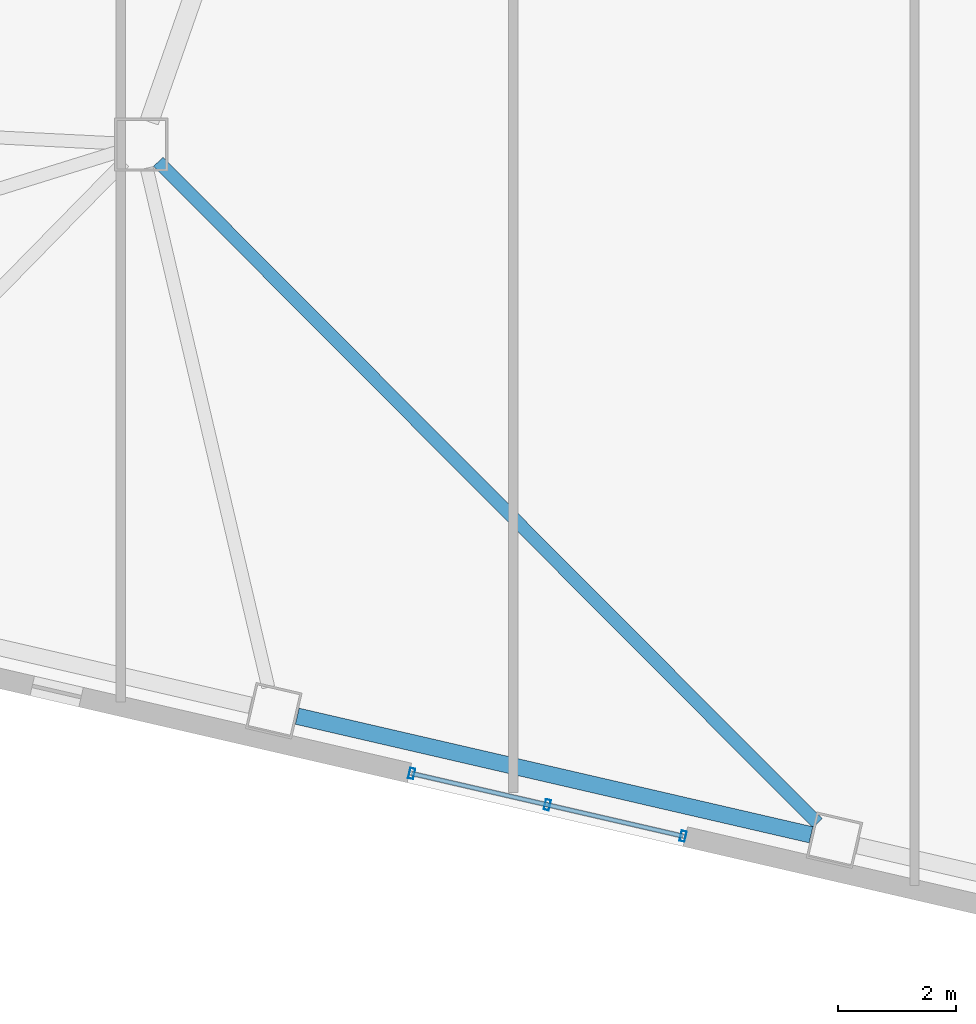
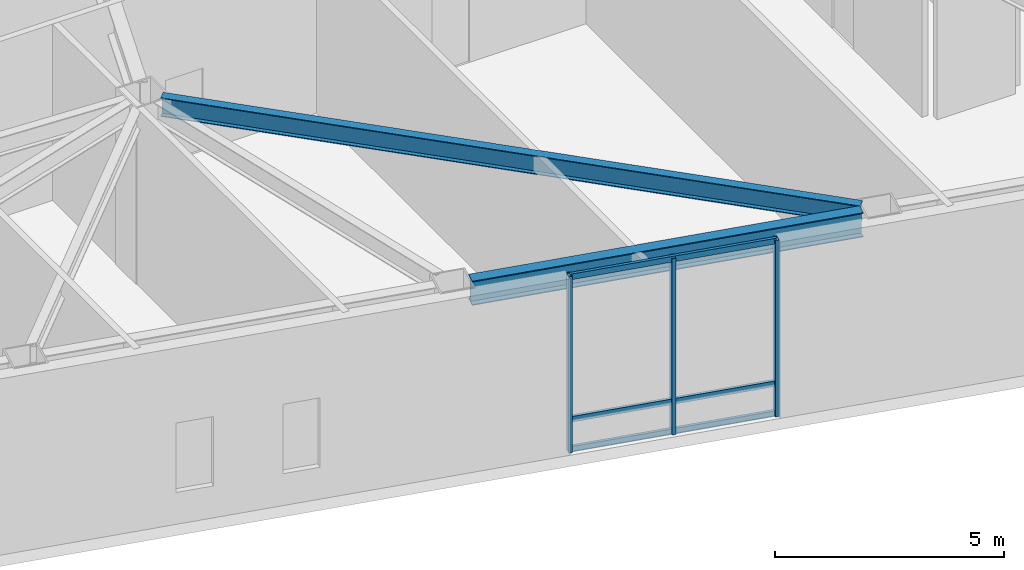
# One storey, part 2 of 20: 6 members, 2 beams, 1 element without a shape of its own.
"""IFC4 building model written with IfcOpenShell, lengths in metres."""

from ifc_helpers import new_model, si_unit, direction, frame, origin, origin_2d, place, context, subcontext, project, spatial, hollow_rectangle, i_section, extrude, material, layer, layer_set, material_profile, profile_set, type_object, element, aggregate, save


model = new_model("IFC4")

# Units and contexts
model_context = context("Model", 3, precision=1e-05, world=origin(), true_north=direction((0.0, 1.0)))
body_context = subcontext(model_context, "Body", "Model", "MODEL_VIEW")
ifc_project = project(units=[si_unit("LENGTHUNIT", "METRE"), si_unit("AREAUNIT", "SQUARE_METRE"), si_unit("VOLUMEUNIT", "CUBIC_METRE"), si_unit("PLANEANGLEUNIT", "RADIAN"), si_unit("MASSUNIT", "GRAM", prefix="KILO")], contexts=[model_context])

# Site, building, storey
site_placement = place(None, origin())
site = spatial("IfcSite", under=ifc_project, at=site_placement, CompositionType="ELEMENT")
building_placement = place(site_placement, origin())
building = spatial("IfcBuilding", under=site, at=building_placement, Name="Tavrogorsk Clinical Tower", CompositionType="ELEMENT")
storey_placement = place(building_placement, frame((0.0, 0.0, 13.39990234375)))
storey = spatial("IfcBuildingStorey", under=building, at=storey_placement, Name="L02", CompositionType="ELEMENT", Elevation=13.39990234375)

# Curtain wall, members
ifc_material_1 = material(Name="Anodised aluminium and triple IGU glazing", Category="aluminium")
ifc_layer = layer(ifc_material_1, 0.179931640625)
ifc_layer_set = layer_set([ifc_layer], Name="Anodised aluminium and triple IGU glazing")
curtain_wall_type = type_object("IfcCurtainWallType", Name="CW3_SouthSlot", PredefinedType="NOTDEFINED", material=ifc_layer_set)
curtain_wall_placement = place(storey_placement, origin())
curtain_wall = element("IfcCurtainWall", 1, at=curtain_wall_placement, inside=storey, type_object=curtain_wall_type, Name="L02 Curtain Wall CW-L02-S-SLOT-1", PredefinedType="NOTDEFINED")
ifc_material_2 = material(Name="Anodised aluminium alloy AW-6060", Category="aluminium")
ifc_material_profile_1 = material_profile(ifc_material_2, hollow_rectangle(XDim=0.090087890625, YDim=0.179931640625, WallThickness=0.00634765625, at=origin_2d()), Name="RHS-180x90x6.3")
ifc_profile_set_1 = profile_set([ifc_material_profile_1], Name="Anodised aluminium alloy AW-6060")
member_type_1 = type_object("IfcMemberType", Name="CwMullion_180x90", PredefinedType="MULLION", material=ifc_profile_set_1)
member_1_placement = place(storey_placement, frame((-19.917724609375, -23.8544921875, 0.0), z_axis=(0.0, 0.0, 1.0), x_axis=(0.974370046851, -0.224951132027, 0.0)))
member_1 = element("IfcMember", 2, at=member_1_placement, type_object=member_type_1, Name="CW-L02-S-SLOT-1 Mullion 1", PredefinedType="MULLION", context=body_context, shape_type="SweptSolid", body=[
    extrude(hollow_rectangle(XDim=0.090087890625, YDim=0.179931640625, WallThickness=0.00634765625, at=origin_2d()), origin(), (0.0, 0.0, 1.0), 4.7001953125),
])
member_2_placement = place(storey_placement, frame((-17.619384765625, -24.38525390625, 0.0), z_axis=(0.0, 0.0, 1.0), x_axis=(0.974370046851, -0.224951132027, 0.0)))
member_2 = element("IfcMember", 3, at=member_2_placement, type_object=member_type_1, Name="CW-L02-S-SLOT-1 Mullion 2", PredefinedType="MULLION", context=body_context, shape_type="SweptSolid", body=[
    extrude(hollow_rectangle(XDim=0.090087890625, YDim=0.179931640625, WallThickness=0.00634765625, at=origin_2d()), origin(), (0.0, 0.0, 1.0), 4.7001953125),
])
member_3_placement = place(storey_placement, frame((-15.32080078125, -24.916015625, 0.0), z_axis=(0.0, 0.0, 1.0), x_axis=(0.974370046851, -0.224951132027, 0.0)))
member_3 = element("IfcMember", 4, at=member_3_placement, type_object=member_type_1, Name="CW-L02-S-SLOT-1 Mullion 3", PredefinedType="MULLION", context=body_context, shape_type="SweptSolid", body=[
    extrude(hollow_rectangle(XDim=0.090087890625, YDim=0.179931640625, WallThickness=0.00634765625, at=origin_2d()), origin(), (0.0, 0.0, 1.0), 4.7001953125),
])
ifc_material_3 = material(Name="Anodised aluminium alloy AW-6060", Category="aluminium")
ifc_material_profile_2 = material_profile(ifc_material_3, hollow_rectangle(XDim=0.074951171875, YDim=0.14990234375, WallThickness=0.0048828125, at=origin_2d()), Name="RHS-150x75x5")
ifc_profile_set_2 = profile_set([ifc_material_profile_2], Name="Anodised aluminium alloy AW-6060")
member_type_2 = type_object("IfcMemberType", Name="CwTransom_150x75", PredefinedType="USERDEFINED", material=ifc_profile_set_2)
member_4_placement = place(storey_placement, frame((-19.917724609375, -23.8544921875, 0.050048828125), z_axis=(0.974358915979, -0.224999339672, 0.0), x_axis=(0.224999339672, 0.974358915979, 0.0)))
member_4 = element("IfcMember", 5, at=member_4_placement, type_object=member_type_2, Name="CW-L02-S-SLOT-1 Transom 1", ObjectType="TRANSOM", PredefinedType="USERDEFINED", context=body_context, shape_type="SweptSolid", body=[
    extrude(hollow_rectangle(XDim=0.074951171875, YDim=0.14990234375, WallThickness=0.0048828125, at=origin_2d()), origin(), (0.0, 0.0, 1.0), 4.718017578125),
])
member_5_placement = place(storey_placement, frame((-19.917724609375, -23.8544921875, 0.85009765625), z_axis=(0.974358915979, -0.224999339672, 0.0), x_axis=(0.224999339672, 0.974358915979, 0.0)))
member_5 = element("IfcMember", 6, at=member_5_placement, type_object=member_type_2, Name="CW-L02-S-SLOT-1 Transom 2", ObjectType="TRANSOM", PredefinedType="USERDEFINED", context=body_context, shape_type="SweptSolid", body=[
    extrude(hollow_rectangle(XDim=0.074951171875, YDim=0.14990234375, WallThickness=0.0048828125, at=origin_2d()), origin(), (0.0, 0.0, 1.0), 4.718017578125),
])
member_6_placement = place(storey_placement, frame((-19.917724609375, -23.8544921875, 4.650146484375), z_axis=(0.974358915979, -0.224999339672, 0.0), x_axis=(0.224999339672, 0.974358915979, 0.0)))
member_6 = element("IfcMember", 7, at=member_6_placement, type_object=member_type_2, Name="CW-L02-S-SLOT-1 Transom 3", ObjectType="TRANSOM", PredefinedType="USERDEFINED", context=body_context, shape_type="SweptSolid", body=[
    extrude(hollow_rectangle(XDim=0.074951171875, YDim=0.14990234375, WallThickness=0.0048828125, at=origin_2d()), origin(), (0.0, 0.0, 1.0), 4.718017578125),
])
aggregate(curtain_wall, [member_1, member_2, member_3, member_4, member_5, member_6])

# Beams
ifc_material_4 = material(Name="Structural steel S355", Category="steel")
ifc_material_profile_3 = material_profile(ifc_material_4, i_section(OverallWidth=0.219970703125, OverallDepth=0.5, WebThickness=0.012939453125, FlangeThickness=0.02001953125, at=origin_2d()), Name="B-500x220x13x20")
ifc_profile_set_3 = profile_set([ifc_material_profile_3], Name="Structural steel S355")
beam_type_1 = type_object("IfcBeamType", Name="FloorBeam_B500", PredefinedType="BEAM", material=ifc_profile_set_3)
beam_1_placement = place(storey_placement, frame((-24.210693359375, -13.490478515625, 4.4501953125), z_axis=(0.705909757155, -0.70830178226, 0.0), x_axis=(0.70830178226, 0.705909757155, 0.0)))
element("IfcBeam", 8, at=beam_1_placement, inside=storey, type_object=beam_type_1, Name="L02 Radial Floor Beam S4", PredefinedType="BEAM", context=body_context, shape_type="SweptSolid", body=[
    extrude(i_section(OverallWidth=0.219970703125, OverallDepth=0.5, WebThickness=0.012939453125, FlangeThickness=0.02001953125, at=origin_2d()), origin(), (0.0, 0.0, 1.0), 15.820068359375),
])
ifc_material_5 = material(Name="Structural steel S390", Category="steel")
ifc_material_profile_4 = material_profile(ifc_material_5, i_section(OverallWidth=0.280029296875, OverallDepth=0.64990234375, WebThickness=0.01611328125, FlangeThickness=0.02490234375, at=origin_2d()), Name="B-650x280x16x25")
ifc_profile_set_4 = profile_set([ifc_material_profile_4], Name="Structural steel S390")
beam_type_2 = type_object("IfcBeamType", Name="SpandrelBeam_B650", PredefinedType="SPANDREL", material=ifc_profile_set_4)
beam_2_placement = place(storey_placement, frame((-21.8564453125, -22.8837890625, 4.375), z_axis=(0.974372766602, -0.224939351168, 0.0), x_axis=(0.224939351168, 0.974372766602, 0.0)))
element("IfcBeam", 9, at=beam_2_placement, inside=storey, type_object=beam_type_2, Name="L02 Perimeter Spandrel S3-S4", PredefinedType="SPANDREL", context=body_context, shape_type="SweptSolid", body=[
    extrude(i_section(OverallWidth=0.280029296875, OverallDepth=0.64990234375, WebThickness=0.01611328125, FlangeThickness=0.02490234375, at=origin_2d()), origin(), (0.0, 0.0, 1.0), 8.9326171875),
])

save(model, "model.ifc")
